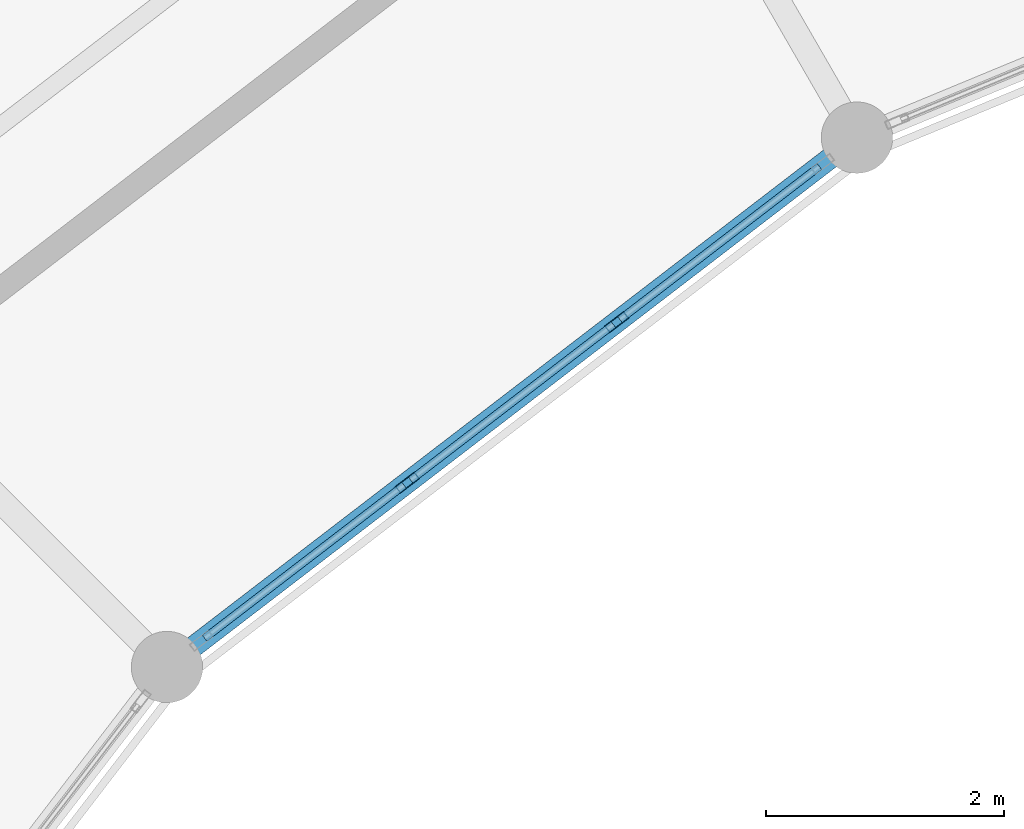
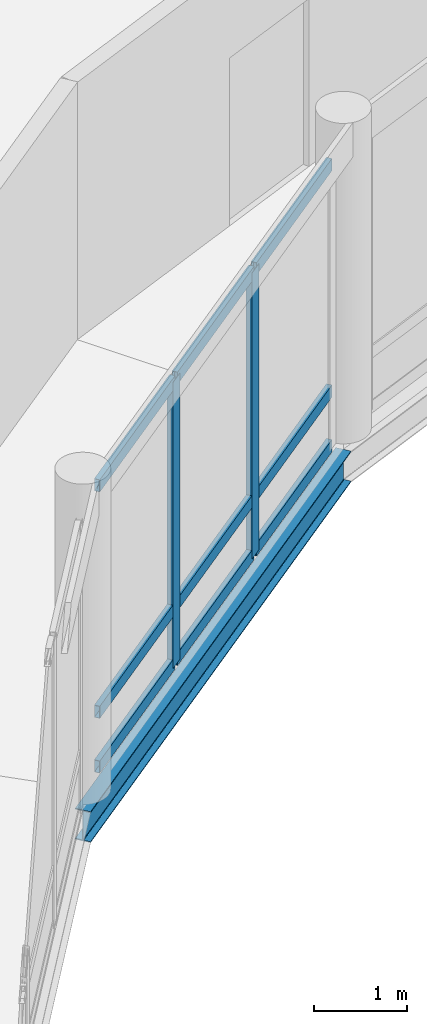
# One storey, part 67 of 170: 11 members, 1 beam, 1 element without a shape of its own.
"""IFC4 building model written with IfcOpenShell, lengths in metres."""

from ifc_helpers import new_model, si_unit, direction, frame, origin, origin_2d, place, context, subcontext, project, spatial, hollow_rectangle, i_section, extrude, material, material_profile, profile_set, type_object, element, aggregate, save


model = new_model("IFC4")

# Units and contexts
model_context = context("Model", 3, precision=1e-05, world=origin(), true_north=direction((0.0, 1.0)))
body_context = subcontext(model_context, "Body", "Model", "MODEL_VIEW")
ifc_project = project(units=[si_unit("LENGTHUNIT", "METRE"), si_unit("AREAUNIT", "SQUARE_METRE"), si_unit("VOLUMEUNIT", "CUBIC_METRE"), si_unit("PLANEANGLEUNIT", "RADIAN"), si_unit("MASSUNIT", "GRAM", prefix="KILO")], contexts=[model_context])

# Site, building, storey
site_placement = place(None, origin())
site = spatial("IfcSite", under=ifc_project, at=site_placement, CompositionType="ELEMENT")
building_placement = place(site_placement, origin())
building = spatial("IfcBuilding", under=site, at=building_placement, Name="Vondelvale Polytechnic", CompositionType="ELEMENT")
storey_placement = place(building_placement, frame((0.0, 0.0, 5.39990234375)))
storey = spatial("IfcBuildingStorey", under=building, at=storey_placement, Name="L01", CompositionType="ELEMENT", Elevation=5.39990234375)

# Beam
ifc_material_1 = material(Name="Steel 300PLUS (fy = 300 MPa)", Category="steel")
ifc_material_profile_1 = material_profile(ifc_material_1, i_section(OverallWidth=0.177978515625, OverallDepth=0.406005859375, WebThickness=0.0078125, FlangeThickness=0.0126953125, FilletRadius=0.011474609375, at=origin_2d()), Name="410UB59.7")
ifc_profile_set_1 = profile_set([ifc_material_profile_1], Name="Steel 300PLUS (fy = 300 MPa)")
beam_type = type_object("IfcBeamType", Name="BM-UB410", PredefinedType="BEAM", material=ifc_profile_set_1)
beam_placement = place(storey_placement, frame((88.0, 96.248779296875, -0.48291015625), z_axis=(-0.793358469083, -0.608754744979, 0.0), x_axis=(0.608754744979, -0.793358469083, 0.0)))
element("IfcBeam", 1, at=beam_placement, inside=storey, type_object=beam_type, Name="L01 RB B-14", PredefinedType="BEAM", context=body_context, shape_type="SweptSolid", body=[
    extrude(i_section(OverallWidth=0.177978515625, OverallDepth=0.406005859375, WebThickness=0.0078125, FlangeThickness=0.0126953125, FilletRadius=0.011474609375, at=origin_2d()), origin(), (0.0, 0.0, 1.0), 7.3095703125),
])

# Curtain wall, members
ifc_material_2 = material(Name="Anodised extruded aluminium 6063-T6", Category="aluminium")
curtain_wall_type = type_object("IfcCurtainWallType", Name="CW-RING-CLOISTER", PredefinedType="NOTDEFINED", material=ifc_material_2)
curtain_wall_placement = place(storey_placement, origin())
curtain_wall = element("IfcCurtainWall", 2, at=curtain_wall_placement, inside=storey, type_object=curtain_wall_type, Name="L01 architectural curtain wall CW-03-194", PredefinedType="NOTDEFINED")
ifc_material_profile_2 = material_profile(ifc_material_2, hollow_rectangle(XDim=0.070068359375, YDim=0.199951171875, WallThickness=0.00390625, at=origin_2d()), Name="CW-MUL-200x70")
ifc_profile_set_2 = profile_set([ifc_material_profile_2], Name="Anodised extruded aluminium 6063-T6")
member_type_1 = type_object("IfcMemberType", Name="CW-MUL-70x200", PredefinedType="MULLION", material=ifc_profile_set_2)
member_1_placement = place(storey_placement, frame((85.97998046875, 94.69873046875, 0.0), z_axis=(0.0, 0.0, 1.0), x_axis=(0.608747717793, -0.793363861089, 0.0)))
member_1 = element("IfcMember", 3, at=member_1_placement, type_object=member_type_1, Name="CW-03-194 mullion 2", PredefinedType="MULLION", context=body_context, shape_type="SweptSolid", body=[
    extrude(hollow_rectangle(XDim=0.070068359375, YDim=0.199951171875, WallThickness=0.00390625, at=origin_2d()), origin(), (0.0, 0.0, 1.0), 3.75),
])
member_2_placement = place(storey_placement, frame((84.220947265625, 93.348876953125, 0.0), z_axis=(0.0, 0.0, 1.0), x_axis=(0.608747717793, -0.793363861089, 0.0)))
member_2 = element("IfcMember", 4, at=member_2_placement, type_object=member_type_1, Name="CW-03-194 mullion 3", PredefinedType="MULLION", context=body_context, shape_type="SweptSolid", body=[
    extrude(hollow_rectangle(XDim=0.070068359375, YDim=0.199951171875, WallThickness=0.00390625, at=origin_2d()), origin(), (0.0, 0.0, 1.0), 3.75),
])
ifc_material_profile_3 = material_profile(ifc_material_2, hollow_rectangle(XDim=0.06494140625, YDim=0.159912109375, WallThickness=0.00341796875, at=origin_2d()), Name="CW-TRN-160x65")
ifc_profile_set_3 = profile_set([ifc_material_profile_3], Name="Anodised extruded aluminium 6063-T6")
member_type_2 = type_object("IfcMemberType", Name="CW-TRN-70x160", PredefinedType="USERDEFINED", material=ifc_profile_set_3)
member_3_placement = place(storey_placement, frame((87.683837890625, 96.006103515625, 0.03271484375), z_axis=(-0.793336583571, -0.608783266169, 0.0), x_axis=(0.608783266169, -0.793336583571, 0.0)))
member_3 = element("IfcMember", 5, at=member_3_placement, type_object=member_type_2, Name="CW-03-194 transom 1.1", ObjectType="TRANSOM", PredefinedType="USERDEFINED", context=body_context, shape_type="SweptSolid", body=[
    extrude(hollow_rectangle(XDim=0.06494140625, YDim=0.159912109375, WallThickness=0.00341796875, at=origin_2d()), origin(), (0.0, 0.0, 1.0), 2.112548828125),
])
member_4_placement = place(storey_placement, frame((87.683837890625, 96.006103515625, 0.75), z_axis=(-0.793336583571, -0.608783266169, 0.0), x_axis=(0.608783266169, -0.793336583571, 0.0)))
member_4 = element("IfcMember", 6, at=member_4_placement, type_object=member_type_2, Name="CW-03-194 transom 1.2", ObjectType="TRANSOM", PredefinedType="USERDEFINED", context=body_context, shape_type="SweptSolid", body=[
    extrude(hollow_rectangle(XDim=0.06494140625, YDim=0.159912109375, WallThickness=0.00341796875, at=origin_2d()), origin(), (0.0, 0.0, 1.0), 2.112548828125),
])
member_5_placement = place(storey_placement, frame((87.683837890625, 96.006103515625, 3.717529296875), z_axis=(-0.793336583571, -0.608783266169, 0.0), x_axis=(0.608783266169, -0.793336583571, 0.0)))
member_5 = element("IfcMember", 7, at=member_5_placement, type_object=member_type_2, Name="CW-03-194 transom 1.3", ObjectType="TRANSOM", PredefinedType="USERDEFINED", context=body_context, shape_type="SweptSolid", body=[
    extrude(hollow_rectangle(XDim=0.06494140625, YDim=0.159912109375, WallThickness=0.00341796875, at=origin_2d()), origin(), (0.0, 0.0, 1.0), 2.112548828125),
])
member_6_placement = place(storey_placement, frame((85.952392578125, 94.677490234375, 0.03271484375), z_axis=(-0.793375728306, -0.608732251269, 0.0), x_axis=(0.608732251269, -0.793375728306, 0.0)))
member_6 = element("IfcMember", 8, at=member_6_placement, type_object=member_type_2, Name="CW-03-194 transom 2.1", ObjectType="TRANSOM", PredefinedType="USERDEFINED", context=body_context, shape_type="SweptSolid", body=[
    extrude(hollow_rectangle(XDim=0.06494140625, YDim=0.159912109375, WallThickness=0.00341796875, at=origin_2d()), origin(), (0.0, 0.0, 1.0), 2.147216796875),
])
member_7_placement = place(storey_placement, frame((85.952392578125, 94.677490234375, 0.75), z_axis=(-0.793375728306, -0.608732251269, 0.0), x_axis=(0.608732251269, -0.793375728306, 0.0)))
member_7 = element("IfcMember", 9, at=member_7_placement, type_object=member_type_2, Name="CW-03-194 transom 2.2", ObjectType="TRANSOM", PredefinedType="USERDEFINED", context=body_context, shape_type="SweptSolid", body=[
    extrude(hollow_rectangle(XDim=0.06494140625, YDim=0.159912109375, WallThickness=0.00341796875, at=origin_2d()), origin(), (0.0, 0.0, 1.0), 2.147216796875),
])
member_8_placement = place(storey_placement, frame((85.952392578125, 94.677490234375, 3.717529296875), z_axis=(-0.793375728306, -0.608732251269, 0.0), x_axis=(0.608732251269, -0.793375728306, 0.0)))
member_8 = element("IfcMember", 10, at=member_8_placement, type_object=member_type_2, Name="CW-03-194 transom 2.3", ObjectType="TRANSOM", PredefinedType="USERDEFINED", context=body_context, shape_type="SweptSolid", body=[
    extrude(hollow_rectangle(XDim=0.06494140625, YDim=0.159912109375, WallThickness=0.00341796875, at=origin_2d()), origin(), (0.0, 0.0, 1.0), 2.147216796875),
])
member_9_placement = place(storey_placement, frame((84.193115234375, 93.32763671875, 0.03271484375), z_axis=(-0.793349569285, -0.608766343448, 0.0), x_axis=(0.608766343448, -0.793349569285, 0.0)))
member_9 = element("IfcMember", 11, at=member_9_placement, type_object=member_type_2, Name="CW-03-194 transom 3.1", ObjectType="TRANSOM", PredefinedType="USERDEFINED", context=body_context, shape_type="SweptSolid", body=[
    extrude(hollow_rectangle(XDim=0.06494140625, YDim=0.159912109375, WallThickness=0.00341796875, at=origin_2d()), origin(), (0.0, 0.0, 1.0), 2.1123046875),
])
member_10_placement = place(storey_placement, frame((84.193115234375, 93.32763671875, 0.75), z_axis=(-0.793349569285, -0.608766343448, 0.0), x_axis=(0.608766343448, -0.793349569285, 0.0)))
member_10 = element("IfcMember", 12, at=member_10_placement, type_object=member_type_2, Name="CW-03-194 transom 3.2", ObjectType="TRANSOM", PredefinedType="USERDEFINED", context=body_context, shape_type="SweptSolid", body=[
    extrude(hollow_rectangle(XDim=0.06494140625, YDim=0.159912109375, WallThickness=0.00341796875, at=origin_2d()), origin(), (0.0, 0.0, 1.0), 2.1123046875),
])
member_11_placement = place(storey_placement, frame((84.193115234375, 93.32763671875, 3.717529296875), z_axis=(-0.793349569285, -0.608766343448, 0.0), x_axis=(0.608766343448, -0.793349569285, 0.0)))
member_11 = element("IfcMember", 13, at=member_11_placement, type_object=member_type_2, Name="CW-03-194 transom 3.3", ObjectType="TRANSOM", PredefinedType="USERDEFINED", context=body_context, shape_type="SweptSolid", body=[
    extrude(hollow_rectangle(XDim=0.06494140625, YDim=0.159912109375, WallThickness=0.00341796875, at=origin_2d()), origin(), (0.0, 0.0, 1.0), 2.1123046875),
])
aggregate(curtain_wall, [member_1, member_2, member_3, member_4, member_5, member_6, member_7, member_8, member_9, member_10, member_11])

save(model, "model.ifc")
